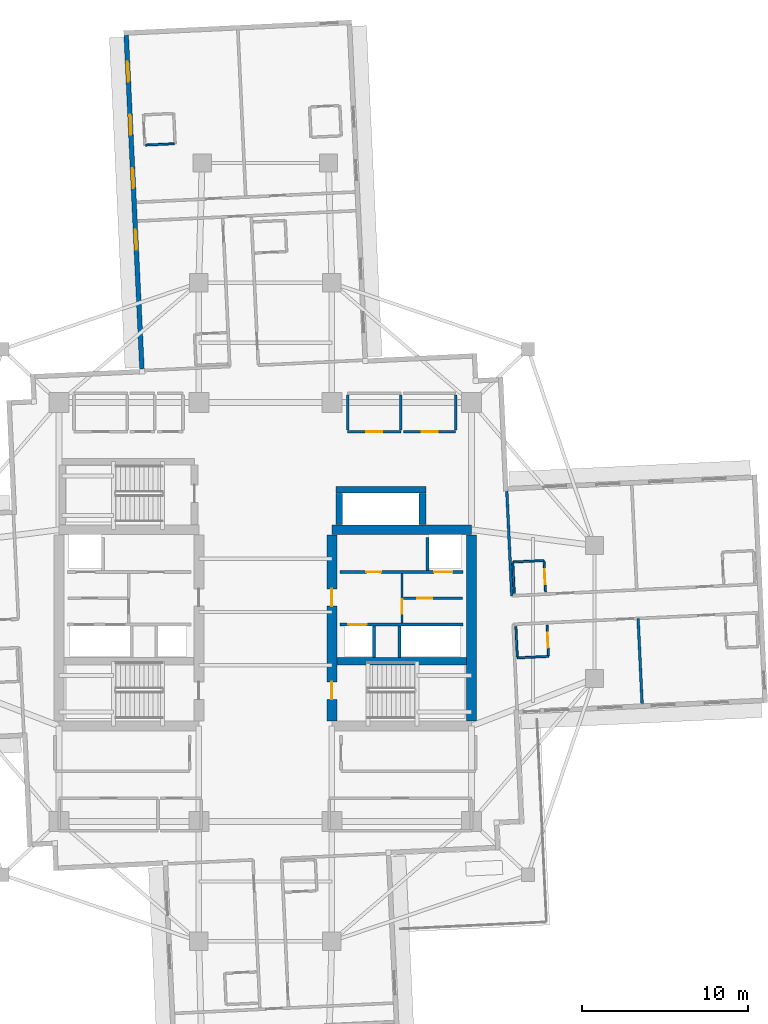
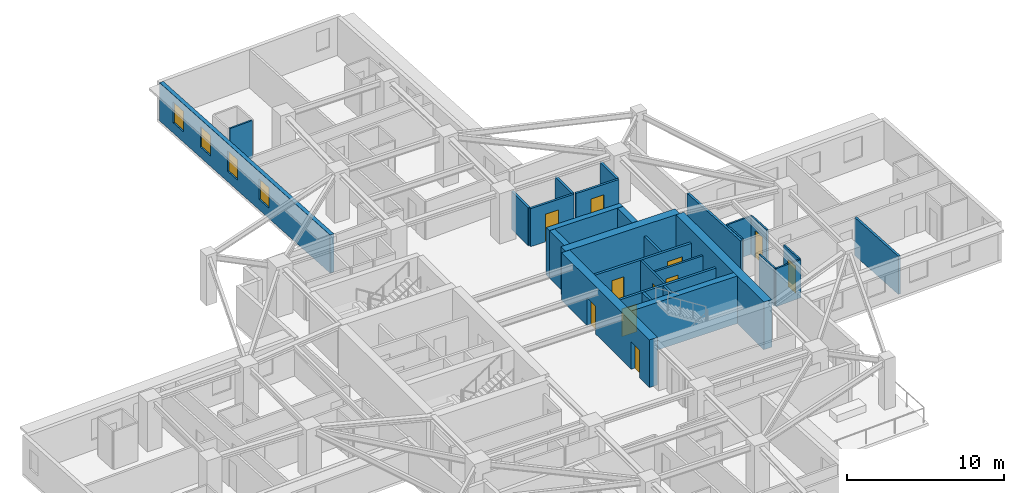
# One storey, part 7 of 14: 29 walls, 11 doors, 4 windows, 15 openings.
"""IFC4 building model written with IfcOpenShell, lengths in metres."""

import ifcopenshell
import ifcopenshell.guid

model = None  # the IFC model being written
_history = None  # IfcOwnerHistory: only IFC2X3 demands one
_inside = {}  # id of a spatial element -> (the spatial element, [elements in it])
_under = {}  # id of a project, library or spatial element -> (it, [spatial elements below it])
_declared = {}  # id of a project -> (the project, [libraries it declares])
_typed = {}  # id of a type object -> (the type object, [elements of that type])
_made_of = {}  # id of a material, layer set ... -> (it, [elements and type objects made of it])


def new_model(schema):
    """Start an empty IFC model of exactly this schema.

    Asked for "IFC4X3", IfcOpenShell would pick the latest addendum, in which some entities
    have other attributes; the version numbers below select the first issue.
    IFC2X3 requires an IfcOwnerHistory on every rooted entity: one is made here for all.
    """
    global model, _history
    if schema == "IFC4X3":
        model = ifcopenshell.file(schema_version=(4, 3, 0, 0))
    else:
        model = ifcopenshell.file(schema=schema)
    _inside.clear()
    _under.clear()
    _declared.clear()
    _typed.clear()
    _made_of.clear()
    _history = None
    if model.schema == "IFC2X3":
        org = make("IfcOrganization", Name="unknown")
        user = make(
            "IfcPersonAndOrganization",
            ThePerson=make("IfcPerson", FamilyName="unknown"),
            TheOrganization=org,
        )
        app = make(
            "IfcApplication",
            ApplicationDeveloper=org,
            Version="unknown",
            ApplicationFullName="unknown",
            ApplicationIdentifier="unknown",
        )
        _history = make(
            "IfcOwnerHistory",
            OwningUser=user,
            OwningApplication=app,
            ChangeAction="ADDED",
            CreationDate=0,
        )
    return model


def make(cls, **values):
    """One entity of the class cls with the attributes given. An attribute that is None is left unset."""
    return model.create_entity(
        cls, **{name: value for name, value in values.items() if value is not None}
    )


def rooted(cls, **values):
    """An entity with a GlobalId (a new one), such as an element, a storey or a relation."""
    return make(cls, GlobalId=ifcopenshell.guid.new(), OwnerHistory=_history, **values)


def si_unit(unit_type, name, prefix=None):
    """IfcSIUnit, for example si_unit("LENGTHUNIT", "METRE", prefix="MILLI")."""
    return make("IfcSIUnit", UnitType=unit_type, Prefix=prefix, Name=name)


def assignment(units):
    """IfcUnitAssignment: the units of a project."""
    return None if units is None else make("IfcUnitAssignment", Units=units)


def point(xyz):
    """IfcCartesianPoint."""
    return None if xyz is None else make("IfcCartesianPoint", Coordinates=xyz)


def direction(xyz):
    """IfcDirection."""
    return None if xyz is None else make("IfcDirection", DirectionRatios=xyz)


def frame(location, z_axis=None, x_axis=None):
    """IfcAxis2Placement3D, a coordinate frame: its origin and axes. An axis left out is left unset."""
    return make(
        "IfcAxis2Placement3D",
        Location=point(location),
        Axis=direction(z_axis),
        RefDirection=direction(x_axis),
    )


def frame_2d(location, x_axis=None):
    """IfcAxis2Placement2D, a coordinate frame in the plane: its origin and x axis."""
    return make(
        "IfcAxis2Placement2D", Location=point(location), RefDirection=direction(x_axis)
    )


def origin():
    """The frame at (0, 0, 0) with its axes left unset."""
    return frame((0.0, 0.0, 0.0))


def place(relative_to, where):
    """IfcLocalPlacement: puts the frame where relative to a parent placement (None: the world)."""
    return make(
        "IfcLocalPlacement", PlacementRelTo=relative_to, RelativePlacement=where
    )


def context(
    kind, dimensions, precision=None, world=None, true_north=None, identifier=None
):
    """IfcGeometricRepresentationContext, for example the 3D "Model" context."""
    return make(
        "IfcGeometricRepresentationContext",
        ContextIdentifier=identifier,
        ContextType=kind,
        CoordinateSpaceDimension=dimensions,
        Precision=precision,
        WorldCoordinateSystem=world,
        TrueNorth=true_north,
    )


def subcontext(parent, identifier, kind, view, scale=None):
    """IfcGeometricRepresentationSubContext, for example "Body" below "Model"."""
    return make(
        "IfcGeometricRepresentationSubContext",
        ContextIdentifier=identifier,
        ContextType=kind,
        ParentContext=parent,
        TargetScale=scale,
        TargetView=view,
    )


def project(units=None, contexts=None):
    """IfcProject with its units and contexts."""
    return rooted(
        "IfcProject",
        Name="project",
        RepresentationContexts=contexts,
        UnitsInContext=assignment(units),
    )


def spatial(cls, under=None, at=None, **own):
    """A site, building, storey or space (cls), placed at a placement, below another one or the project."""
    s = rooted(cls, ObjectPlacement=at, **own)
    if under is not None:
        _under.setdefault(under.id(), (under, []))[1].append(s)
    return s


def profile(cls, at=None, kind="AREA", **sizes):
    """A parametric profile (cls). Its sizes go by their IFC names, for example OverallWidth=200.0."""
    return make(cls, ProfileType=kind, Position=at, **sizes)


def rectangle(**sizes):
    """IfcRectangleProfileDef."""
    return profile("IfcRectangleProfileDef", **sizes)


def extrude(swept, where, along, depth):
    """IfcExtrudedAreaSolid: the profile swept, set in the frame where, extruded along a direction by depth."""
    return make(
        "IfcExtrudedAreaSolid",
        SweptArea=swept,
        Position=where,
        ExtrudedDirection=direction(along),
        Depth=depth,
    )


def shape(context_of_items, identifier, shape_type, items):
    """IfcShapeRepresentation: the items that make up one representation, for example the "Body"."""
    return make(
        "IfcShapeRepresentation",
        ContextOfItems=context_of_items,
        RepresentationIdentifier=identifier,
        RepresentationType=shape_type,
        Items=items,
    )


def material(Name=None, Category=None):
    """IfcMaterial."""
    return make("IfcMaterial", Name=Name, Category=Category)


def layer(
    of_material, thickness, ventilated=None, Name=None, Category=None, Priority=None
):
    """IfcMaterialLayer: one layer of a wall or slab, of a material (None: an air gap)."""
    return make(
        "IfcMaterialLayer",
        Material=of_material,
        LayerThickness=thickness,
        IsVentilated=ventilated,
        Name=Name,
        Category=Category,
        Priority=Priority,
    )


def layer_set(layers, Name=None):
    """IfcMaterialLayerSet."""
    return make("IfcMaterialLayerSet", MaterialLayers=layers, LayerSetName=Name)


def made_of(thing, what):
    """Note that an element or type object is made of a material, layer set ...; save() writes the relation."""
    if what is not None:
        _made_of.setdefault(what.id(), (what, []))[1].append(thing)
    return thing


def type_object(cls, material=None, **own):
    """A type object (cls), such as IfcWallType, which elements share."""
    return made_of(rooted(cls, **own), material)


def element(
    cls,
    number,
    at=None,
    inside=None,
    cuts=None,
    type_object=None,
    material=None,
    context=None,
    identifier="Body",
    shape_type=None,
    held_by="IfcProductDefinitionShape",
    body=None,
    shapes=None,
    **own,
):
    """One element of the class cls, such as IfcWall. Its Tag is "e" and its number.

    at: its placement. inside: the storey or other place that contains it. cuts: it is an
    opening in that element (IfcRelVoidsElement). A single representation is given by context,
    identifier, shape_type and body (its items); several are given by shapes. held_by: the class
    of the entity that holds the representations. save() writes the other relations.
    """
    e = rooted(cls, Tag="e%d" % number, ObjectPlacement=at, **own)
    if body is not None:
        shapes = [shape(context, identifier, shape_type, body)]
    if shapes is not None:
        e.Representation = make(held_by, Representations=shapes)
    if inside is not None:
        _inside.setdefault(inside.id(), (inside, []))[1].append(e)
    if cuts is not None:
        rooted(
            "IfcRelVoidsElement", RelatingBuildingElement=cuts, RelatedOpeningElement=e
        )
    if type_object is not None:
        _typed.setdefault(type_object.id(), (type_object, []))[1].append(e)
    return made_of(e, material)


def fill(opening, filler):
    """IfcRelFillsElement: the door or window that sits in an opening."""
    return rooted(
        "IfcRelFillsElement",
        RelatingOpeningElement=opening,
        RelatedBuildingElement=filler,
    )


def aggregate(whole, parts):
    """IfcRelAggregates: a whole, such as a stair, and the parts it consists of."""
    return rooted("IfcRelAggregates", RelatingObject=whole, RelatedObjects=parts)


def save(model, path):
    """Write the relations noted so far, then the file.

    IfcRelAggregates (storeys below a building ...), IfcRelContainedInSpatialStructure (elements
    in a storey), IfcRelDefinesByType, IfcRelAssociatesMaterial and IfcRelDeclares: one each for
    every whole, place, type object, material and project.
    """
    for whole, parts in _under.values():
        aggregate(whole, parts)
    for where, things in _inside.values():
        rooted(
            "IfcRelContainedInSpatialStructure",
            RelatedElements=things,
            RelatingStructure=where,
        )
    for kind, things in _typed.values():
        rooted("IfcRelDefinesByType", RelatedObjects=things, RelatingType=kind)
    for what, things in _made_of.values():
        rooted("IfcRelAssociatesMaterial", RelatedObjects=things, RelatingMaterial=what)
    for by, libraries in _declared.values():
        rooted("IfcRelDeclares", RelatingContext=by, RelatedDefinitions=libraries)
    model.write(path)


model = new_model("IFC4")

# Units and contexts
model_context = context("Model", 3, precision=1e-05, world=origin(), true_north=direction((0.0, 1.0)))
body_context = subcontext(model_context, "Body", "Model", "MODEL_VIEW")
ifc_project = project(units=[si_unit("LENGTHUNIT", "METRE"), si_unit("AREAUNIT", "SQUARE_METRE"), si_unit("VOLUMEUNIT", "CUBIC_METRE"), si_unit("PLANEANGLEUNIT", "RADIAN"), si_unit("MASSUNIT", "GRAM", prefix="KILO")], contexts=[model_context])

# Site, building, storey
site_placement = place(None, origin())
site = spatial("IfcSite", under=ifc_project, at=site_placement, CompositionType="ELEMENT")
building_placement = place(site_placement, origin())
building = spatial("IfcBuilding", under=site, at=building_placement, Name="Qingluan Cross Belvedere", CompositionType="ELEMENT")
storey_placement = place(building_placement, frame((0.0, 0.0, 116.39990234375)))
storey = spatial("IfcBuildingStorey", under=building, at=storey_placement, Name="L29", CompositionType="ELEMENT", Elevation=116.39990234375)

# Walls
ifc_material_1 = material(Name="Concrete C50", Category="concrete")
ifc_layer_1 = layer(ifc_material_1, 0.449951171875, Name="CoreShearWall_450")
ifc_layer_set_1 = layer_set([ifc_layer_1], Name="Concrete C50")
wall_type_1 = type_object("IfcWallType", Name="CoreShearWall_450", PredefinedType="SHEAR", material=ifc_layer_set_1)
wall_1_placement = place(storey_placement, frame((4.304931640625, -2.9599609375, 0.0), z_axis=(0.0, 0.0, 1.0), x_axis=(1.0, 0.0, 0.0)))
element("IfcWall", 1, at=wall_1_placement, inside=storey, type_object=wall_type_1, Name="Split core E shear wall L29-M", PredefinedType="SHEAR", context=body_context, shape_type="SweptSolid", body=[
    extrude(rectangle(XDim=7.7900390625, YDim=0.449951171875, at=frame_2d((3.89501953125, 0.0))), origin(), (0.0, 0.0, 1.0), 3.7001953125),
])
wall_2_placement = place(storey_placement, frame((4.449951171875, 5.2548828125, 0.0), z_axis=(0.0, 0.0, 1.0), x_axis=(0.0, 1.0, 0.0)))
element("IfcWall", 2, at=wall_2_placement, inside=storey, type_object=wall_type_1, Name="Express shuttle core wall L29-W", PredefinedType="SHEAR", context=body_context, shape_type="SweptSolid", body=[
    extrude(rectangle(XDim=1.885009765625, YDim=0.39990234375, at=frame_2d((0.9423828125, 0.0))), origin(), (0.0, 0.0, 1.0), 3.7001953125),
])
wall_3_placement = place(storey_placement, frame((4.25, 7.35009765625, 0.0), z_axis=(0.0, 0.0, 1.0), x_axis=(1.0, 0.0, 0.0)))
element("IfcWall", 3, at=wall_3_placement, inside=storey, type_object=wall_type_1, Name="Express shuttle core wall L29-N", PredefinedType="SHEAR", context=body_context, shape_type="SweptSolid", body=[
    extrude(rectangle(XDim=5.39990234375, YDim=0.39990234375, at=frame_2d((2.699951171875, 0.0))), origin(), (0.0, 0.0, 1.0), 3.7001953125),
])
wall_4_placement = place(storey_placement, frame((9.449951171875, 5.2548828125, 0.0), z_axis=(0.0, 0.0, 1.0), x_axis=(0.0, 1.0, 0.0)))
element("IfcWall", 4, at=wall_4_placement, inside=storey, type_object=wall_type_1, Name="Express shuttle core wall L29-E", PredefinedType="SHEAR", context=body_context, shape_type="SweptSolid", body=[
    extrude(rectangle(XDim=1.885009765625, YDim=0.39990234375, at=frame_2d((0.9423828125, 0.0))), origin(), (0.0, 0.0, 1.0), 3.7001953125),
])
ifc_material_2 = material(Name="Concrete C60", Category="concrete")
ifc_layer_2 = layer(ifc_material_2, 0.60009765625, Name="CoreShearWall_600")
ifc_layer_set_2 = layer_set([ifc_layer_2], Name="Concrete C60")
wall_type_2 = type_object("IfcWallType", Name="CoreShearWall_600", PredefinedType="SHEAR", material=ifc_layer_set_2)
wall_5_placement = place(storey_placement, frame((4.0, 4.949951171875, 0.0), z_axis=(0.0, 0.0, 1.0), x_axis=(1.0, 0.0, 0.0)))
element("IfcWall", 5, at=wall_5_placement, inside=storey, type_object=wall_type_2, Name="Split core E shear wall L29-N", PredefinedType="SHEAR", context=body_context, shape_type="SweptSolid", body=[
    extrude(rectangle(XDim=8.39990234375, YDim=0.60009765625, at=frame_2d((4.199951171875, 0.0))), origin(), (0.0, 0.0, 1.0), 3.7001953125),
])

# Wall, openings, doors
wall_6_placement = place(storey_placement, frame((4.0, -6.544921875, 0.0), z_axis=(0.0, 0.0, 1.0), x_axis=(0.0, 1.0, 0.0)))
wall_6 = element("IfcWall", 6, at=wall_6_placement, inside=storey, type_object=wall_type_2, Name="Split core E shear wall L29-W", PredefinedType="SHEAR", context=body_context, shape_type="SweptSolid", body=[
    extrude(rectangle(XDim=11.18994140625, YDim=0.60009765625, at=frame_2d((5.594970703125, 0.0))), origin(), (0.0, 0.0, 1.0), 3.7001953125),
])
opening_1_placement = place(wall_6_placement, frame((1.294921875, 0.0, 0.0)))
opening_1 = element("IfcOpeningElement", 7, at=opening_1_placement, cuts=wall_6, Name="Opening FD-B11", PredefinedType="OPENING", context=body_context, shape_type="SweptSolid", body=[
    extrude(rectangle(XDim=1.050048828125, YDim=2.14990234375, at=frame_2d((0.52490234375, 1.074951171875))), frame((0.0, 0.31005859375, 0.0), z_axis=(0.0, -1.0, 0.0), x_axis=(1.0, 0.0, 0.0)), (0.0, 0.0, 1.0), 0.6201171875),
])
opening_2_placement = place(wall_6_placement, frame((6.89501953125, 0.0, 0.0)))
opening_2 = element("IfcOpeningElement", 8, at=opening_2_placement, cuts=wall_6, Name="Opening FD-B11", PredefinedType="OPENING", context=body_context, shape_type="SweptSolid", body=[
    extrude(rectangle(XDim=1.050048828125, YDim=2.14990234375, at=frame_2d((0.52490234375, 1.074951171875))), frame((0.0, 0.31005859375, 0.0), z_axis=(0.0, -1.0, 0.0), x_axis=(1.0, 0.0, 0.0)), (0.0, 0.0, 1.0), 0.6201171875),
])
ifc_material_3 = material(Name="Steel Class B smoke-seal fire door", Category="steel")
door_type_1 = type_object("IfcDoorType", Name="StairLobbyFireDoor_FDB", OperationType="NOTDEFINED", PredefinedType="DOOR", material=ifc_material_3)
door_1_placement = place(opening_1_placement, origin())
door_1 = element("IfcDoor", 9, at=door_1_placement, inside=storey, type_object=door_type_1, Name="Smoke-proof stair ST2 fire door L29", OperationType="SINGLE_SWING_RIGHT", OverallHeight=2.14990234375, OverallWidth=1.050048828125, PredefinedType="DOOR", context=body_context, shape_type="SweptSolid", body=[
    extrude(rectangle(XDim=1.050048828125, YDim=2.14990234375, at=frame_2d((0.52490234375, 1.074951171875))), frame((0.0, 0.02490234375, 0.0), z_axis=(0.0, -1.0, 0.0), x_axis=(1.0, 0.0, 0.0)), (0.0, 0.0, 1.0), 0.050048828125),
])
fill(opening_1, door_1)
door_2_placement = place(opening_2_placement, origin())
door_2 = element("IfcDoor", 10, at=door_2_placement, inside=storey, type_object=door_type_1, Name="Firefighting lobby East fire door L29", OperationType="SINGLE_SWING_RIGHT", OverallHeight=2.14990234375, OverallWidth=1.050048828125, PredefinedType="DOOR", context=body_context, shape_type="SweptSolid", body=[
    extrude(rectangle(XDim=1.050048828125, YDim=2.14990234375, at=frame_2d((0.52490234375, 1.074951171875))), frame((0.0, 0.02490234375, 0.0), z_axis=(0.0, -1.0, 0.0), x_axis=(1.0, 0.0, 0.0)), (0.0, 0.0, 1.0), 0.050048828125),
])
fill(opening_2, door_2)

# Wall
wall_7_placement = place(storey_placement, frame((12.39990234375, -6.544921875, 0.0), z_axis=(0.0, 0.0, 1.0), x_axis=(0.0, 1.0, 0.0)))
element("IfcWall", 11, at=wall_7_placement, inside=storey, type_object=wall_type_2, Name="Split core E shear wall L29-E", PredefinedType="SHEAR", context=body_context, shape_type="SweptSolid", body=[
    extrude(rectangle(XDim=11.18994140625, YDim=0.60009765625, at=frame_2d((5.594970703125, 0.0))), origin(), (0.0, 0.0, 1.0), 3.7001953125),
])

# Wall, opening, door
ifc_material_4 = material(Name="Gypsum plasterboard on steel stud acoustic partition", Category="steel")
ifc_layer_3 = layer(ifc_material_4, 0.159912109375, Name="CorridorPartition_160")
ifc_layer_set_3 = layer_set([ifc_layer_3], Name="Gypsum plasterboard on steel stud acoustic partition")
wall_type_3 = type_object("IfcWallType", Name="CorridorPartition_160", PredefinedType="PARTITIONING", material=ifc_layer_set_3)
wall_8_placement = place(storey_placement, frame((8.298095703125, 0.830078125, 0.0), z_axis=(0.0, 0.0, 1.0), x_axis=(1.0, 0.0, 0.0)))
wall_8 = element("IfcWall", 12, at=wall_8_placement, inside=storey, type_object=wall_type_3, Name="Partition L29:e", PredefinedType="PARTITIONING", context=body_context, shape_type="SweptSolid", body=[
    extrude(rectangle(XDim=3.552001953125, YDim=0.139892578125, at=frame_2d((1.77587890625, 0.0))), origin(), (0.0, 0.0, 1.0), 2.960205078125),
])
opening_3_placement = place(wall_8_placement, frame((0.85009765625, 0.0, 0.0)))
opening_3 = element("IfcOpeningElement", 13, at=opening_3_placement, cuts=wall_8, Name="Opening FD-B10", PredefinedType="OPENING", context=body_context, shape_type="SweptSolid", body=[
    extrude(rectangle(XDim=0.8798828125, YDim=2.10009765625, at=frame_2d((0.43994140625, 1.050048828125))), frame((0.0, 0.079833984375, 0.0), z_axis=(0.0, -1.0, 0.0), x_axis=(1.0, 0.0, 0.0)), (0.0, 0.0, 1.0), 0.159912109375),
])
ifc_material_5 = material(Name="Steel Class B service fire door", Category="steel")
door_type_2 = type_object("IfcDoorType", Name="RiserServiceFireDoor_FDB", OperationType="NOTDEFINED", PredefinedType="DOOR", material=ifc_material_5)
door_3_placement = place(opening_3_placement, origin())
door_3 = element("IfcDoor", 14, at=door_3_placement, inside=storey, type_object=door_type_2, Name="Service closet inner door L29", OperationType="SINGLE_SWING_LEFT", OverallHeight=2.10009765625, OverallWidth=0.8798828125, PredefinedType="DOOR", context=body_context, shape_type="SweptSolid", body=[
    extrude(rectangle(XDim=0.8798828125, YDim=2.10009765625, at=frame_2d((0.43994140625, 1.050048828125))), frame((0.0, 0.02490234375, 0.0), z_axis=(0.0, -1.0, 0.0), x_axis=(1.0, 0.0, 0.0)), (0.0, 0.0, 1.0), 0.050048828125),
])
fill(opening_3, door_3)

wall_9_placement = place(storey_placement, frame((4.949951171875, 10.85009765625, 0.0), z_axis=(0.0, 0.0, 1.0), x_axis=(1.0, 0.0, 0.0)))
wall_9 = element("IfcWall", 15, at=wall_9_placement, inside=storey, type_object=wall_type_3, Name="Partition L29:q_ne1:S", PredefinedType="PARTITIONING", context=body_context, shape_type="SweptSolid", body=[
    extrude(rectangle(XDim=3.199951171875, YDim=0.159912109375, at=frame_2d((1.60009765625, 0.0))), origin(), (0.0, 0.0, 1.0), 2.960205078125),
])
opening_4_placement = place(wall_9_placement, frame((1.1201171875, 0.0, 0.0)))
opening_4 = element("IfcOpeningElement", 16, at=opening_4_placement, cuts=wall_9, Name="Opening GD-10", PredefinedType="OPENING", context=body_context, shape_type="SweptSolid", body=[
    extrude(rectangle(XDim=0.9599609375, YDim=2.14990234375, at=frame_2d((0.47998046875, 1.074951171875))), frame((0.0, 0.08984375, 0.0), z_axis=(0.0, -1.0, 0.0), x_axis=(1.0, 0.0, 0.0)), (0.0, 0.0, 1.0), 0.179931640625),
])
ifc_material_6 = material(Name="Timber oak fire-rated acoustic guestroom door", Category="wood")
door_type_3 = type_object("IfcDoorType", Name="GuestEntryDoor_FD60", OperationType="NOTDEFINED", PredefinedType="DOOR", material=ifc_material_6)
door_4_placement = place(opening_4_placement, origin())
door_4 = element("IfcDoor", 17, at=door_4_placement, inside=storey, type_object=door_type_3, Name="Private banquet dining room L29 door", OperationType="SINGLE_SWING_LEFT", OverallHeight=2.14990234375, OverallWidth=0.9599609375, PredefinedType="DOOR", context=body_context, shape_type="SweptSolid", body=[
    extrude(rectangle(XDim=0.9599609375, YDim=2.14990234375, at=frame_2d((0.47998046875, 1.074951171875))), frame((0.0, 0.02490234375, 0.0), z_axis=(0.0, -1.0, 0.0), x_axis=(1.0, 0.0, 0.0)), (0.0, 0.0, 1.0), 0.050048828125),
])
fill(opening_4, door_4)

# Walls
for number, where, z_axis, x_axis, name in (
    (18, (4.949951171875, 10.93505859375, 0.0), (0.0, 0.0, 1.0), (0.0, 1.0, 0.0), "Partition L29:q_ne1:W"),
    (19, (8.14990234375, 10.93505859375, 0.0), (0.0, 0.0, 1.0), (0.0, 1.0, 0.0), "Partition L29:q_ne1:E"),
):
    element("IfcWall", number, at=place(storey_placement, frame(where, z_axis=z_axis, x_axis=x_axis)), inside=storey, type_object=wall_type_3, Name=name, PredefinedType="PARTITIONING", context=body_context, shape_type="SweptSolid", body=[
        extrude(rectangle(XDim=2.1298828125, YDim=0.159912109375, at=frame_2d((1.06494140625, 0.0))), origin(), (0.0, 0.0, 1.0), 2.960205078125),
    ])

# Wall, opening, door
wall_10_placement = place(storey_placement, frame((8.31005859375, 10.85009765625, 0.0), z_axis=(0.0, 0.0, 1.0), x_axis=(1.0, 0.0, 0.0)))
wall_10 = element("IfcWall", 20, at=wall_10_placement, inside=storey, type_object=wall_type_3, Name="Partition L29:q_ne2:S", PredefinedType="PARTITIONING", context=body_context, shape_type="SweptSolid", body=[
    extrude(rectangle(XDim=3.139892578125, YDim=0.159912109375, at=frame_2d((1.56982421875, 0.0))), origin(), (0.0, 0.0, 1.0), 2.960205078125),
])
opening_5_placement = place(wall_10_placement, frame((1.090087890625, 0.0, 0.0)))
opening_5 = element("IfcOpeningElement", 21, at=opening_5_placement, cuts=wall_10, Name="Opening GD-10", PredefinedType="OPENING", context=body_context, shape_type="SweptSolid", body=[
    extrude(rectangle(XDim=0.9599609375, YDim=2.14990234375, at=frame_2d((0.47998046875, 1.074951171875))), frame((0.0, 0.08984375, 0.0), z_axis=(0.0, -1.0, 0.0), x_axis=(1.0, 0.0, 0.0)), (0.0, 0.0, 1.0), 0.179931640625),
])
door_5_placement = place(opening_5_placement, origin())
door_5 = element("IfcDoor", 22, at=door_5_placement, inside=storey, type_object=door_type_3, Name="Northeast quiet study L29 door", OperationType="SINGLE_SWING_RIGHT", OverallHeight=2.14990234375, OverallWidth=0.9599609375, PredefinedType="DOOR", context=body_context, shape_type="SweptSolid", body=[
    extrude(rectangle(XDim=0.9599609375, YDim=2.14990234375, at=frame_2d((0.47998046875, 1.074951171875))), frame((0.0, 0.02490234375, 0.0), z_axis=(0.0, -1.0, 0.0), x_axis=(1.0, 0.0, 0.0)), (0.0, 0.0, 1.0), 0.050048828125),
])
fill(opening_5, door_5)

# Walls
wall_11_placement = place(storey_placement, frame((11.449951171875, 10.93505859375, 0.0), z_axis=(0.0, 0.0, 1.0), x_axis=(0.0, 1.0, 0.0)))
element("IfcWall", 23, at=wall_11_placement, inside=storey, type_object=wall_type_3, Name="Partition L29:q_ne2:E", PredefinedType="PARTITIONING", context=body_context, shape_type="SweptSolid", body=[
    extrude(rectangle(XDim=2.1298828125, YDim=0.159912109375, at=frame_2d((1.06494140625, 0.0))), origin(), (0.0, 0.0, 1.0), 2.960205078125),
])
wall_12_placement = place(storey_placement, frame((14.8203125, 0.979248046875, 0.0), z_axis=(0.0, 0.0, 1.0), x_axis=(-0.047104274115, 0.998889977605, 0.0)))
element("IfcWall", 24, at=wall_12_placement, inside=storey, type_object=wall_type_3, Name="Partition L29:E:s0", PredefinedType="PARTITIONING", context=body_context, shape_type="SweptSolid", body=[
    extrude(rectangle(XDim=6.292236328125, YDim=0.159912109375, at=frame_2d((3.14599609375, 0.0))), origin(), (0.0, 0.0, 1.0), 2.960205078125),
])
wall_13_placement = place(storey_placement, frame((22.41796875, -0.384521484375, 0.0), z_axis=(0.0, 0.0, 1.0), x_axis=(0.047097271264, -0.998890307811, 0.0)))
element("IfcWall", 25, at=wall_13_placement, inside=storey, type_object=wall_type_3, Name="Partition L29:E:d1_0", PredefinedType="PARTITIONING", context=body_context, shape_type="SweptSolid", body=[
    extrude(rectangle(XDim=5.1318359375, YDim=0.159912109375, at=frame_2d((2.56591796875, 0.0))), origin(), (0.0, 0.0, 1.0), 2.960205078125),
])

# Wall, opening, door
ifc_material_7 = material(Name="Moisture-resistant gypsum board lining")
ifc_layer_4 = layer(ifc_material_7, 0.1201171875, Name="EnsuiteWetPartition_120")
ifc_layer_set_4 = layer_set([ifc_layer_4], Name="Moisture-resistant gypsum board lining")
wall_type_4 = type_object("IfcWallType", Name="EnsuiteWetPartition_120", PredefinedType="PARTITIONING", material=ifc_layer_set_4)
wall_14_placement = place(storey_placement, frame((16.8515625, 1.215087890625, 0.0), z_axis=(0.0, 0.0, 1.0), x_axis=(-0.047214641863, 0.998884766924, 0.0)))
wall_14 = element("IfcWall", 26, at=wall_14_placement, inside=storey, type_object=wall_type_4, Name="Partition L29:E:bs0_0", PredefinedType="PARTITIONING", context=body_context, shape_type="SweptSolid", body=[
    extrude(rectangle(XDim=1.820068359375, YDim=0.1201171875, at=frame_2d((0.91015625, 0.0))), origin(), (0.0, 0.0, 1.0), 2.960205078125),
])
opening_6_placement = place(wall_14_placement, frame((0.469970703125, 0.0, 0.0)))
opening_6 = element("IfcOpeningElement", 27, at=opening_6_placement, cuts=wall_14, Name="Opening BD-09", PredefinedType="OPENING", context=body_context, shape_type="SweptSolid", body=[
    extrude(rectangle(XDim=0.8798828125, YDim=2.10009765625, at=frame_2d((0.43994140625, 1.050048828125))), frame((0.0, 0.070068359375, 0.0), z_axis=(0.0, -1.0, 0.0), x_axis=(1.0, 0.0, 0.0)), (0.0, 0.0, 1.0), 0.14013671875),
])
ifc_material_8 = material(Name="Moisture-sealed timber en-suite door", Category="wood")
door_type_4 = type_object("IfcDoorType", Name="BathroomDoor_880", OperationType="NOTDEFINED", PredefinedType="DOOR", material=ifc_material_8)
door_6_placement = place(opening_6_placement, origin())
door_6 = element("IfcDoor", 28, at=door_6_placement, inside=storey, type_object=door_type_4, Name="Bathroom door 2901", OperationType="SINGLE_SWING_LEFT", OverallHeight=2.10009765625, OverallWidth=0.8798828125, PredefinedType="DOOR", context=body_context, shape_type="SweptSolid", body=[
    extrude(rectangle(XDim=0.8798828125, YDim=2.10009765625, at=frame_2d((0.43994140625, 1.050048828125))), frame((0.0, 0.02490234375, 0.0), z_axis=(0.0, -1.0, 0.0), x_axis=(1.0, 0.0, 0.0)), (0.0, 0.0, 1.0), 0.050048828125),
])
fill(opening_6, door_6)

# Walls
wall_15_placement = place(storey_placement, frame((14.9736328125, 1.126708984375, 0.0), z_axis=(0.0, 0.0, 1.0), x_axis=(-0.047220968666, 0.998884467853, 0.0)))
element("IfcWall", 29, at=wall_15_placement, inside=storey, type_object=wall_type_4, Name="Partition L29:E:bw0_0", PredefinedType="PARTITIONING", context=body_context, shape_type="SweptSolid", body=[
    extrude(rectangle(XDim=1.81982421875, YDim=0.1201171875, at=frame_2d((0.909912109375, 0.0))), origin(), (0.0, 0.0, 1.0), 2.960205078125),
])
wall_16_placement = place(storey_placement, frame((14.884765625, 3.009521484375, 0.0), z_axis=(0.0, 0.0, 1.0), x_axis=(0.998888319371, 0.047139425368, 0.0)))
element("IfcWall", 30, at=wall_16_placement, inside=storey, type_object=wall_type_4, Name="Partition L29:E:bn0_0", PredefinedType="PARTITIONING", context=body_context, shape_type="SweptSolid", body=[
    extrude(rectangle(XDim=1.880126953125, YDim=0.1201171875, at=frame_2d((0.93994140625, 0.0))), origin(), (0.0, 0.0, 1.0), 2.960205078125),
])

# Wall, opening, door
wall_17_placement = place(storey_placement, frame((17.031494140625, -2.6005859375, 0.0), z_axis=(0.0, 0.0, 1.0), x_axis=(-0.047087116047, 0.998890786574, 0.0)))
wall_17 = element("IfcWall", 31, at=wall_17_placement, inside=storey, type_object=wall_type_4, Name="Partition L29:E:bs1_0", PredefinedType="PARTITIONING", context=body_context, shape_type="SweptSolid", body=[
    extrude(rectangle(XDim=1.81982421875, YDim=0.1201171875, at=frame_2d((0.909912109375, 0.0))), origin(), (0.0, 0.0, 1.0), 2.960205078125),
])
opening_7_placement = place(wall_17_placement, frame((0.469970703125, 0.0, 0.0)))
opening_7 = element("IfcOpeningElement", 32, at=opening_7_placement, cuts=wall_17, Name="Opening BD-09", PredefinedType="OPENING", context=body_context, shape_type="SweptSolid", body=[
    extrude(rectangle(XDim=0.8798828125, YDim=2.10009765625, at=frame_2d((0.43994140625, 1.050048828125))), frame((0.0, 0.070068359375, 0.0), z_axis=(0.0, -1.0, 0.0), x_axis=(1.0, 0.0, 0.0)), (0.0, 0.0, 1.0), 0.14013671875),
])
door_7_placement = place(opening_7_placement, origin())
door_7 = element("IfcDoor", 33, at=door_7_placement, inside=storey, type_object=door_type_4, Name="Bathroom door 2903", OperationType="SINGLE_SWING_LEFT", OverallHeight=2.10009765625, OverallWidth=0.8798828125, PredefinedType="DOOR", context=body_context, shape_type="SweptSolid", body=[
    extrude(rectangle(XDim=0.8798828125, YDim=2.10009765625, at=frame_2d((0.43994140625, 1.050048828125))), frame((0.0, 0.02490234375, 0.0), z_axis=(0.0, -1.0, 0.0), x_axis=(1.0, 0.0, 0.0)), (0.0, 0.0, 1.0), 0.050048828125),
])
fill(opening_7, door_7)

# Walls
wall_18_placement = place(storey_placement, frame((15.153564453125, -2.689208984375, 0.0), z_axis=(0.0, 0.0, 1.0), x_axis=(-0.047080807099, 0.998891083954, 0.0)))
element("IfcWall", 34, at=wall_18_placement, inside=storey, type_object=wall_type_4, Name="Partition L29:E:bw1_0", PredefinedType="PARTITIONING", context=body_context, shape_type="SweptSolid", body=[
    extrude(rectangle(XDim=1.820068359375, YDim=0.1201171875, at=frame_2d((0.91015625, 0.0))), origin(), (0.0, 0.0, 1.0), 2.960205078125),
])
wall_19_placement = place(storey_placement, frame((15.156494140625, -2.754150390625, 0.0), z_axis=(0.0, 0.0, 1.0), x_axis=(0.998888319371, 0.047139425368, 0.0)))
element("IfcWall", 35, at=wall_19_placement, inside=storey, type_object=wall_type_4, Name="Partition L29:E:bc1_0", PredefinedType="PARTITIONING", context=body_context, shape_type="SweptSolid", body=[
    extrude(rectangle(XDim=1.880126953125, YDim=0.1201171875, at=frame_2d((0.93994140625, 0.0))), origin(), (0.0, 0.0, 1.0), 2.960205078125),
])
wall_20_placement = place(storey_placement, frame((-7.180908203125, 28.0830078125, 0.0), z_axis=(0.0, 0.0, 1.0), x_axis=(0.998890122477, 0.047101201865, 0.0)))
element("IfcWall", 36, at=wall_20_placement, inside=storey, type_object=wall_type_4, Name="Partition L29:Ncap:b1a", PredefinedType="PARTITIONING", context=body_context, shape_type="SweptSolid", body=[
    extrude(rectangle(XDim=1.7001953125, YDim=0.1201171875, at=frame_2d((0.85009765625, 0.0))), origin(), (0.0, 0.0, 1.0), 2.960205078125),
])

# Wall, openings, windows
ifc_material_9 = material(Name="Precast concrete C45", Category="concrete")
ifc_layer_5 = layer(ifc_material_9, 0.280029296875, Name="PrecastFacadeWall_280")
ifc_layer_set_5 = layer_set([ifc_layer_5], Name="Precast concrete C45")
wall_type_5 = type_object("IfcWallType", Name="PrecastFacadeWall_280", PredefinedType="STANDARD", material=ifc_layer_set_5)
wall_21_placement = place(storey_placement, frame((-8.363037109375, 34.6845703125, 0.0), z_axis=(0.0, 0.0, 1.0), x_axis=(0.047103473814, -0.998890015344, 0.0)))
wall_21 = element("IfcWall", 37, at=wall_21_placement, inside=storey, type_object=wall_type_5, Name="Facade wall L29-NB", PredefinedType="STANDARD", context=body_context, shape_type="SweptSolid", body=[
    extrude(rectangle(XDim=20.099853515625, YDim=0.280029296875, at=frame_2d((10.0498046875, 0.0))), origin(), (0.0, 0.0, 1.0), 2.97021484375),
])
opening_8_placement = place(wall_21_placement, frame((1.60009765625, 0.0, 0.800048828125)))
opening_8 = element("IfcOpeningElement", 38, at=opening_8_placement, cuts=wall_21, Name="Opening W-02", PredefinedType="OPENING", context=body_context, shape_type="SweptSolid", body=[
    extrude(rectangle(XDim=1.199951171875, YDim=1.60009765625, at=frame_2d((0.60009765625, 0.800048828125))), frame((0.0, 0.14990234375, 0.0), z_axis=(0.0, -1.0, 0.0), x_axis=(1.0, 0.0, 0.0)), (0.0, 0.0, 1.0), 0.300048828125),
])
opening_9_placement = place(wall_21_placement, frame((4.800048828125, 0.0, 0.800048828125)))
opening_9 = element("IfcOpeningElement", 39, at=opening_9_placement, cuts=wall_21, Name="Opening W-02", PredefinedType="OPENING", context=body_context, shape_type="SweptSolid", body=[
    extrude(rectangle(XDim=1.199951171875, YDim=1.60009765625, at=frame_2d((0.60009765625, 0.800048828125))), frame((0.0, 0.14990234375, 0.0), z_axis=(0.0, -1.0, 0.0), x_axis=(1.0, 0.0, 0.0)), (0.0, 0.0, 1.0), 0.300048828125),
])
opening_10_placement = place(wall_21_placement, frame((8.0, 0.0, 0.800048828125)))
opening_10 = element("IfcOpeningElement", 40, at=opening_10_placement, cuts=wall_21, Name="Opening W-02", PredefinedType="OPENING", context=body_context, shape_type="SweptSolid", body=[
    extrude(rectangle(XDim=1.199951171875, YDim=1.60009765625, at=frame_2d((0.60009765625, 0.800048828125))), frame((0.0, 0.14990234375, 0.0), z_axis=(0.0, -1.0, 0.0), x_axis=(1.0, 0.0, 0.0)), (0.0, 0.0, 1.0), 0.300048828125),
])
opening_11_placement = place(wall_21_placement, frame((11.699951171875, 0.0, 0.800048828125)))
opening_11 = element("IfcOpeningElement", 41, at=opening_11_placement, cuts=wall_21, Name="Opening W-02", PredefinedType="OPENING", context=body_context, shape_type="SweptSolid", body=[
    extrude(rectangle(XDim=1.199951171875, YDim=1.60009765625, at=frame_2d((0.60009765625, 0.800048828125))), frame((0.0, 0.14990234375, 0.0), z_axis=(0.0, -1.0, 0.0), x_axis=(1.0, 0.0, 0.0)), (0.0, 0.0, 1.0), 0.300048828125),
])
ifc_material_10 = material(Name="Thermally broken triple Low-E glass in aluminium frame", Category="aluminium")
window_type = type_object("IfcWindowType", Name="TriRibbonWin_1200x1600", PartitioningType="SINGLE_PANEL", PredefinedType="WINDOW", material=ifc_material_10)
window_1_placement = place(opening_8_placement, origin())
window_1 = element("IfcWindow", 42, at=window_1_placement, inside=storey, type_object=window_type, Name="Ribbon window L29-NB-1", OverallHeight=1.60009765625, OverallWidth=1.199951171875, PartitioningType="SINGLE_PANEL", PredefinedType="WINDOW", context=body_context, shape_type="SweptSolid", body=[
    extrude(rectangle(XDim=1.199951171875, YDim=1.60009765625, at=frame_2d((0.60009765625, 0.800048828125))), frame((0.0, 0.030029296875, 0.0), z_axis=(0.0, -1.0, 0.0), x_axis=(1.0, 0.0, 0.0)), (0.0, 0.0, 1.0), 0.06005859375),
])
fill(opening_8, window_1)
window_2_placement = place(opening_9_placement, origin())
window_2 = element("IfcWindow", 43, at=window_2_placement, inside=storey, type_object=window_type, Name="Ribbon window L29-NB-2", OverallHeight=1.60009765625, OverallWidth=1.199951171875, PartitioningType="SINGLE_PANEL", PredefinedType="WINDOW", context=body_context, shape_type="SweptSolid", body=[
    extrude(rectangle(XDim=1.199951171875, YDim=1.60009765625, at=frame_2d((0.60009765625, 0.800048828125))), frame((0.0, 0.030029296875, 0.0), z_axis=(0.0, -1.0, 0.0), x_axis=(1.0, 0.0, 0.0)), (0.0, 0.0, 1.0), 0.06005859375),
])
fill(opening_9, window_2)
window_3_placement = place(opening_10_placement, origin())
window_3 = element("IfcWindow", 44, at=window_3_placement, inside=storey, type_object=window_type, Name="Ribbon window L29-NB-3", OverallHeight=1.60009765625, OverallWidth=1.199951171875, PartitioningType="SINGLE_PANEL", PredefinedType="WINDOW", context=body_context, shape_type="SweptSolid", body=[
    extrude(rectangle(XDim=1.199951171875, YDim=1.60009765625, at=frame_2d((0.60009765625, 0.800048828125))), frame((0.0, 0.030029296875, 0.0), z_axis=(0.0, -1.0, 0.0), x_axis=(1.0, 0.0, 0.0)), (0.0, 0.0, 1.0), 0.06005859375),
])
fill(opening_10, window_3)
window_4_placement = place(opening_11_placement, origin())
window_4 = element("IfcWindow", 45, at=window_4_placement, inside=storey, type_object=window_type, Name="Ribbon window L29-NB-4", OverallHeight=1.60009765625, OverallWidth=1.199951171875, PartitioningType="SINGLE_PANEL", PredefinedType="WINDOW", context=body_context, shape_type="SweptSolid", body=[
    extrude(rectangle(XDim=1.199951171875, YDim=1.60009765625, at=frame_2d((0.60009765625, 0.800048828125))), frame((0.0, 0.030029296875, 0.0), z_axis=(0.0, -1.0, 0.0), x_axis=(1.0, 0.0, 0.0)), (0.0, 0.0, 1.0), 0.06005859375),
])
fill(opening_11, window_4)

# Wall, openings, doors
ifc_material_11 = material(Name="Concrete C40", Category="concrete")
ifc_layer_6 = layer(ifc_material_11, 0.219970703125, Name="ShaftEnclosureWall_250")
ifc_layer_set_6 = layer_set([ifc_layer_6], Name="Concrete C40")
wall_type_6 = type_object("IfcWallType", Name="ShaftEnclosureWall_250", PredefinedType="SOLIDWALL", material=ifc_layer_set_6)
wall_22_placement = place(storey_placement, frame((4.47998046875, 2.409912109375, 0.0), z_axis=(0.0, 0.0, 1.0), x_axis=(1.0, 0.0, 0.0)))
wall_22 = element("IfcWall", 46, at=wall_22_placement, inside=storey, type_object=wall_type_6, Name="Core-E north hoistway wall L29", PredefinedType="SOLIDWALL", context=body_context, shape_type="SweptSolid", body=[
    extrude(rectangle(XDim=7.419921875, YDim=0.179931640625, at=frame_2d((3.7099609375, 0.0))), origin(), (0.0, 0.0, 1.0), 2.960205078125),
])
opening_12_placement = place(wall_22_placement, frame((5.669921875, 0.0, 0.0)))
opening_12 = element("IfcOpeningElement", 47, at=opening_12_placement, cuts=wall_22, Name="Opening LD-11", PredefinedType="OPENING", context=body_context, shape_type="SweptSolid", body=[
    extrude(rectangle(XDim=1.10009765625, YDim=2.14990234375, at=frame_2d((0.550048828125, 1.074951171875))), frame((0.0, 0.099853515625, 0.0), z_axis=(0.0, -1.0, 0.0), x_axis=(1.0, 0.0, 0.0)), (0.0, 0.0, 1.0), 0.199951171875),
])
opening_13_placement = place(wall_22_placement, frame((1.60009765625, 0.0, 0.0)))
opening_13 = element("IfcOpeningElement", 48, at=opening_13_placement, cuts=wall_22, Name="Opening FD-B10", PredefinedType="OPENING", context=body_context, shape_type="SweptSolid", body=[
    extrude(rectangle(XDim=0.8798828125, YDim=2.10009765625, at=frame_2d((0.43994140625, 1.050048828125))), frame((0.0, 0.099853515625, 0.0), z_axis=(0.0, -1.0, 0.0), x_axis=(1.0, 0.0, 0.0)), (0.0, 0.0, 1.0), 0.199951171875),
])
ifc_material_12 = material(Name="Brushed stainless steel centre-opening lift landing door", Category="steel")
door_type_5 = type_object("IfcDoorType", Name="LiftLandingSlidingDoor_1100", OperationType="DOUBLE_DOOR_SLIDING", PredefinedType="DOOR", material=ifc_material_12)
door_8_placement = place(opening_12_placement, origin())
door_8 = element("IfcDoor", 49, at=door_8_placement, inside=storey, type_object=door_type_5, Name="Lift landing sliding door FL2 L29", OperationType="DOUBLE_DOOR_SLIDING", OverallHeight=2.14990234375, OverallWidth=1.10009765625, PredefinedType="DOOR", context=body_context, shape_type="SweptSolid", body=[
    extrude(rectangle(XDim=1.10009765625, YDim=2.14990234375, at=frame_2d((0.550048828125, 1.074951171875))), frame((0.0, 0.02490234375, 0.0), z_axis=(0.0, -1.0, 0.0), x_axis=(1.0, 0.0, 0.0)), (0.0, 0.0, 1.0), 0.050048828125),
])
fill(opening_12, door_8)
door_9_placement = place(opening_13_placement, origin())
door_9 = element("IfcDoor", 50, at=door_9_placement, inside=storey, type_object=door_type_2, Name="Pantry room door E L29", OperationType="SINGLE_SWING_LEFT", OverallHeight=2.10009765625, OverallWidth=0.8798828125, PredefinedType="DOOR", context=body_context, shape_type="SweptSolid", body=[
    extrude(rectangle(XDim=0.8798828125, YDim=2.10009765625, at=frame_2d((0.43994140625, 1.050048828125))), frame((0.0, 0.02490234375, 0.0), z_axis=(0.0, -1.0, 0.0), x_axis=(1.0, 0.0, 0.0)), (0.0, 0.0, 1.0), 0.050048828125),
])
fill(opening_13, door_9)

# Wall, opening, door
wall_23_placement = place(storey_placement, frame((4.47998046875, -0.75, 0.0), z_axis=(0.0, 0.0, 1.0), x_axis=(1.0, 0.0, 0.0)))
wall_23 = element("IfcWall", 51, at=wall_23_placement, inside=storey, type_object=wall_type_6, Name="Core-E mid hoistway wall L29", PredefinedType="SOLIDWALL", context=body_context, shape_type="SweptSolid", body=[
    extrude(rectangle(XDim=7.419921875, YDim=0.179931640625, at=frame_2d((3.7099609375, 0.0))), origin(), (0.0, 0.0, 1.0), 2.960205078125),
])
opening_14_placement = place(wall_23_placement, frame((0.52001953125, 0.0, 0.0)))
opening_14 = element("IfcOpeningElement", 52, at=opening_14_placement, cuts=wall_23, Name="Opening LD-11", PredefinedType="OPENING", context=body_context, shape_type="SweptSolid", body=[
    extrude(rectangle(XDim=1.10009765625, YDim=2.14990234375, at=frame_2d((0.550048828125, 1.074951171875))), frame((0.0, 0.099853515625, 0.0), z_axis=(0.0, -1.0, 0.0), x_axis=(1.0, 0.0, 0.0)), (0.0, 0.0, 1.0), 0.199951171875),
])
door_10_placement = place(opening_14_placement, origin())
door_10 = element("IfcDoor", 53, at=door_10_placement, inside=storey, type_object=door_type_5, Name="Lift landing sliding door LP7 L29", OperationType="DOUBLE_DOOR_SLIDING", OverallHeight=2.14990234375, OverallWidth=1.10009765625, PredefinedType="DOOR", context=body_context, shape_type="SweptSolid", body=[
    extrude(rectangle(XDim=1.10009765625, YDim=2.14990234375, at=frame_2d((0.550048828125, 1.074951171875))), frame((0.0, 0.02490234375, 0.0), z_axis=(0.0, -1.0, 0.0), x_axis=(1.0, 0.0, 0.0)), (0.0, 0.0, 1.0), 0.050048828125),
])
fill(opening_14, door_10)

# Walls
wall_24_placement = place(storey_placement, frame((9.760009765625, 2.5, 0.0), z_axis=(0.0, 0.0, 1.0), x_axis=(0.0, 1.0, 0.0)))
element("IfcWall", 54, at=wall_24_placement, inside=storey, type_object=wall_type_6, Name="Hoistway enclosure divider FL2W L29", PredefinedType="SOLIDWALL", context=body_context, shape_type="SweptSolid", body=[
    extrude(rectangle(XDim=1.989990234375, YDim=0.179931640625, at=frame_2d((0.9951171875, 0.0))), origin(), (0.0, 0.0, 1.0), 2.960205078125),
])
for number, where, z_axis, x_axis, name in (
    (55, (6.5400390625, -2.72998046875, 0.0), (0.0, 0.0, 1.0), (0.0, 1.0, 0.0), "Hoistway enclosure divider LP7E L29"),
    (56, (8.06005859375, -2.72998046875, 0.0), (0.0, 0.0, 1.0), (0.0, 1.0, 0.0), "Hoistway enclosure divider LP9W L29"),
):
    element("IfcWall", number, at=place(storey_placement, frame(where, z_axis=z_axis, x_axis=x_axis)), inside=storey, type_object=wall_type_6, Name=name, PredefinedType="SOLIDWALL", context=body_context, shape_type="SweptSolid", body=[
        extrude(rectangle(XDim=1.889892578125, YDim=0.179931640625, at=frame_2d((0.94482421875, 0.0))), origin(), (0.0, 0.0, 1.0), 2.960205078125),
    ])

# Wall, opening, door
wall_25_placement = place(storey_placement, frame((8.219970703125, -0.64990234375, 0.0), z_axis=(0.0, 0.0, 1.0), x_axis=(0.0, 1.0, 0.0)))
wall_25 = element("IfcWall", 57, at=wall_25_placement, inside=storey, type_object=wall_type_6, Name="Core-E service corridor wall L29", PredefinedType="SOLIDWALL", context=body_context, shape_type="SweptSolid", body=[
    extrude(rectangle(XDim=2.9599609375, YDim=0.139892578125, at=frame_2d((1.47998046875, 0.0))), origin(), (0.0, 0.0, 1.0), 2.960205078125),
])
opening_15_placement = place(wall_25_placement, frame((0.550048828125, 0.0, 0.0)))
opening_15 = element("IfcOpeningElement", 58, at=opening_15_placement, cuts=wall_25, Name="Opening FD-B10", PredefinedType="OPENING", context=body_context, shape_type="SweptSolid", body=[
    extrude(rectangle(XDim=0.8798828125, YDim=2.10009765625, at=frame_2d((0.43994140625, 1.050048828125))), frame((0.0, 0.079833984375, 0.0), z_axis=(0.0, -1.0, 0.0), x_axis=(1.0, 0.0, 0.0)), (0.0, 0.0, 1.0), 0.159912109375),
])
door_11_placement = place(opening_15_placement, origin())
door_11 = element("IfcDoor", 59, at=door_11_placement, inside=storey, type_object=door_type_2, Name="Core-E service room door L29", OperationType="SINGLE_SWING_LEFT", OverallHeight=2.10009765625, OverallWidth=0.8798828125, PredefinedType="DOOR", context=body_context, shape_type="SweptSolid", body=[
    extrude(rectangle(XDim=0.8798828125, YDim=2.10009765625, at=frame_2d((0.43994140625, 1.050048828125))), frame((0.0, 0.02490234375, 0.0), z_axis=(0.0, -1.0, 0.0), x_axis=(1.0, 0.0, 0.0)), (0.0, 0.0, 1.0), 0.050048828125),
])
fill(opening_15, door_11)

save(model, "model.ifc")
